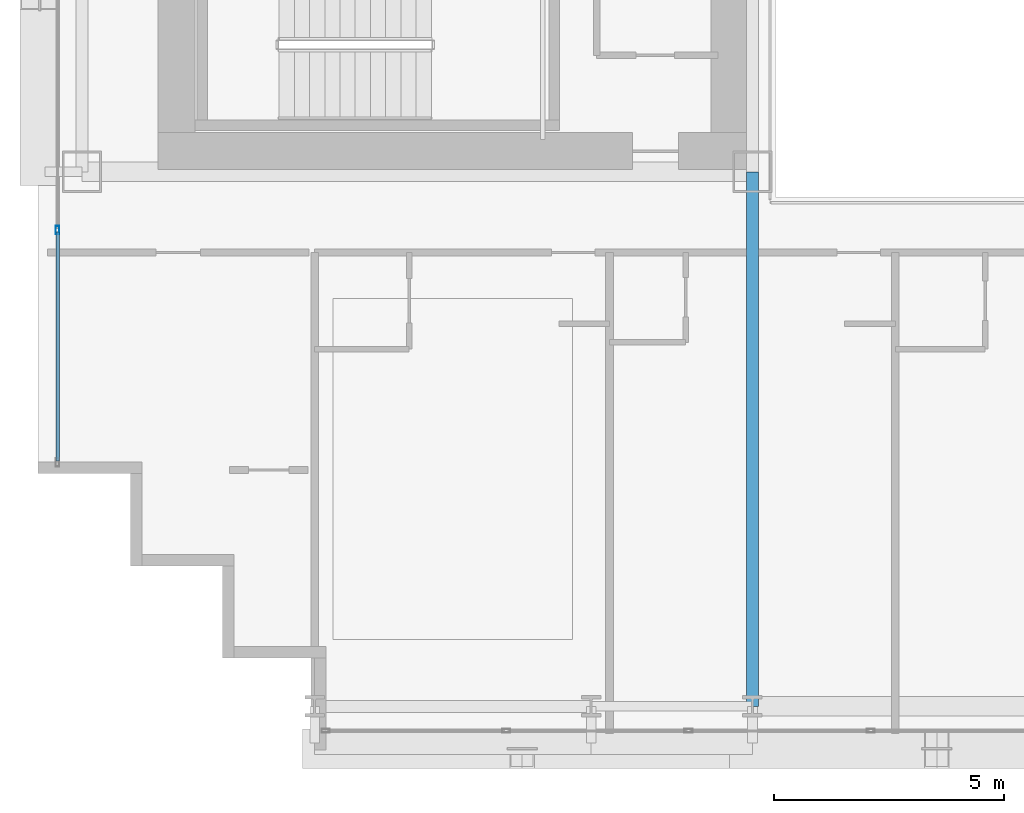
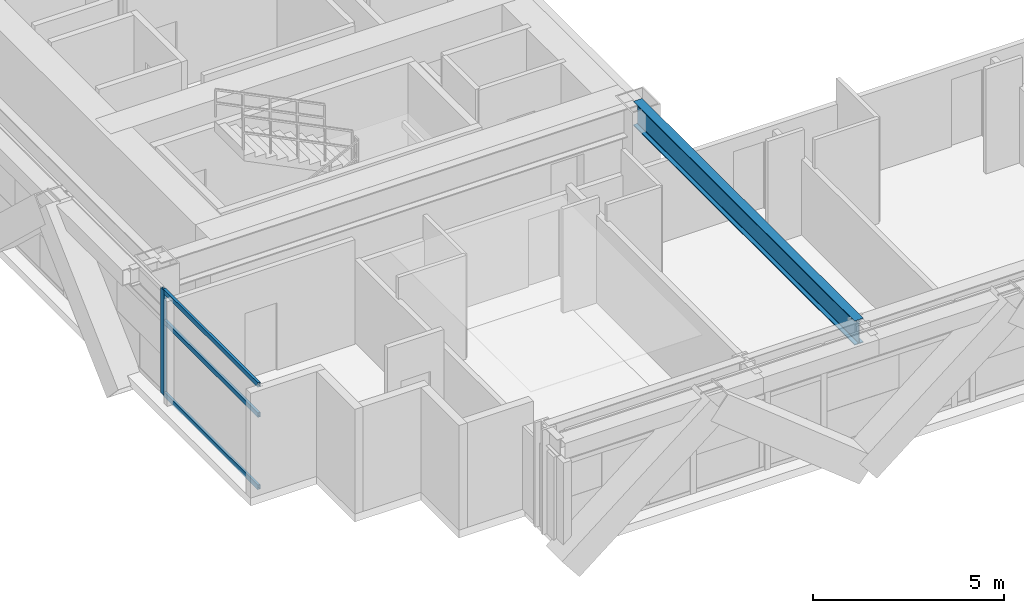
# One storey, part 3 of 35: 4 members, 1 beam, 1 element without a shape of its own.
"""IFC4 building model written with IfcOpenShell, lengths in metres."""

import ifcopenshell
import ifcopenshell.guid

model = None  # the IFC model being written
_history = None  # IfcOwnerHistory: only IFC2X3 demands one
_inside = {}  # id of a spatial element -> (the spatial element, [elements in it])
_under = {}  # id of a project, library or spatial element -> (it, [spatial elements below it])
_declared = {}  # id of a project -> (the project, [libraries it declares])
_typed = {}  # id of a type object -> (the type object, [elements of that type])
_made_of = {}  # id of a material, layer set ... -> (it, [elements and type objects made of it])


def new_model(schema):
    """Start an empty IFC model of exactly this schema.

    Asked for "IFC4X3", IfcOpenShell would pick the latest addendum, in which some entities
    have other attributes; the version numbers below select the first issue.
    IFC2X3 requires an IfcOwnerHistory on every rooted entity: one is made here for all.
    """
    global model, _history
    if schema == "IFC4X3":
        model = ifcopenshell.file(schema_version=(4, 3, 0, 0))
    else:
        model = ifcopenshell.file(schema=schema)
    _inside.clear()
    _under.clear()
    _declared.clear()
    _typed.clear()
    _made_of.clear()
    _history = None
    if model.schema == "IFC2X3":
        org = make("IfcOrganization", Name="unknown")
        user = make(
            "IfcPersonAndOrganization",
            ThePerson=make("IfcPerson", FamilyName="unknown"),
            TheOrganization=org,
        )
        app = make(
            "IfcApplication",
            ApplicationDeveloper=org,
            Version="unknown",
            ApplicationFullName="unknown",
            ApplicationIdentifier="unknown",
        )
        _history = make(
            "IfcOwnerHistory",
            OwningUser=user,
            OwningApplication=app,
            ChangeAction="ADDED",
            CreationDate=0,
        )
    return model


def make(cls, **values):
    """One entity of the class cls with the attributes given. An attribute that is None is left unset."""
    return model.create_entity(
        cls, **{name: value for name, value in values.items() if value is not None}
    )


def rooted(cls, **values):
    """An entity with a GlobalId (a new one), such as an element, a storey or a relation."""
    return make(cls, GlobalId=ifcopenshell.guid.new(), OwnerHistory=_history, **values)


def si_unit(unit_type, name, prefix=None):
    """IfcSIUnit, for example si_unit("LENGTHUNIT", "METRE", prefix="MILLI")."""
    return make("IfcSIUnit", UnitType=unit_type, Prefix=prefix, Name=name)


def assignment(units):
    """IfcUnitAssignment: the units of a project."""
    return None if units is None else make("IfcUnitAssignment", Units=units)


def point(xyz):
    """IfcCartesianPoint."""
    return None if xyz is None else make("IfcCartesianPoint", Coordinates=xyz)


def direction(xyz):
    """IfcDirection."""
    return None if xyz is None else make("IfcDirection", DirectionRatios=xyz)


def frame(location, z_axis=None, x_axis=None):
    """IfcAxis2Placement3D, a coordinate frame: its origin and axes. An axis left out is left unset."""
    return make(
        "IfcAxis2Placement3D",
        Location=point(location),
        Axis=direction(z_axis),
        RefDirection=direction(x_axis),
    )


def frame_2d(location, x_axis=None):
    """IfcAxis2Placement2D, a coordinate frame in the plane: its origin and x axis."""
    return make(
        "IfcAxis2Placement2D", Location=point(location), RefDirection=direction(x_axis)
    )


def origin():
    """The frame at (0, 0, 0) with its axes left unset."""
    return frame((0.0, 0.0, 0.0))


def origin_2d():
    """The frame at (0, 0) in the plane with its x axis left unset."""
    return frame_2d((0.0, 0.0))


def place(relative_to, where):
    """IfcLocalPlacement: puts the frame where relative to a parent placement (None: the world)."""
    return make(
        "IfcLocalPlacement", PlacementRelTo=relative_to, RelativePlacement=where
    )


def context(
    kind, dimensions, precision=None, world=None, true_north=None, identifier=None
):
    """IfcGeometricRepresentationContext, for example the 3D "Model" context."""
    return make(
        "IfcGeometricRepresentationContext",
        ContextIdentifier=identifier,
        ContextType=kind,
        CoordinateSpaceDimension=dimensions,
        Precision=precision,
        WorldCoordinateSystem=world,
        TrueNorth=true_north,
    )


def subcontext(parent, identifier, kind, view, scale=None):
    """IfcGeometricRepresentationSubContext, for example "Body" below "Model"."""
    return make(
        "IfcGeometricRepresentationSubContext",
        ContextIdentifier=identifier,
        ContextType=kind,
        ParentContext=parent,
        TargetScale=scale,
        TargetView=view,
    )


def project(units=None, contexts=None):
    """IfcProject with its units and contexts."""
    return rooted(
        "IfcProject",
        Name="project",
        RepresentationContexts=contexts,
        UnitsInContext=assignment(units),
    )


def spatial(cls, under=None, at=None, **own):
    """A site, building, storey or space (cls), placed at a placement, below another one or the project."""
    s = rooted(cls, ObjectPlacement=at, **own)
    if under is not None:
        _under.setdefault(under.id(), (under, []))[1].append(s)
    return s


def profile(cls, at=None, kind="AREA", **sizes):
    """A parametric profile (cls). Its sizes go by their IFC names, for example OverallWidth=200.0."""
    return make(cls, ProfileType=kind, Position=at, **sizes)


def hollow_rectangle(**sizes):
    """IfcRectangleHollowProfileDef."""
    return profile("IfcRectangleHollowProfileDef", **sizes)


def i_section(**sizes):
    """IfcIShapeProfileDef."""
    return profile("IfcIShapeProfileDef", **sizes)


def extrude(swept, where, along, depth):
    """IfcExtrudedAreaSolid: the profile swept, set in the frame where, extruded along a direction by depth."""
    return make(
        "IfcExtrudedAreaSolid",
        SweptArea=swept,
        Position=where,
        ExtrudedDirection=direction(along),
        Depth=depth,
    )


def shape(context_of_items, identifier, shape_type, items):
    """IfcShapeRepresentation: the items that make up one representation, for example the "Body"."""
    return make(
        "IfcShapeRepresentation",
        ContextOfItems=context_of_items,
        RepresentationIdentifier=identifier,
        RepresentationType=shape_type,
        Items=items,
    )


def source(mapping_origin, context_of_items, identifier, shape_type, items):
    """IfcRepresentationMap: a shape defined once, which mapped items show again and again."""
    return make(
        "IfcRepresentationMap",
        MappingOrigin=mapping_origin,
        MappedRepresentation=shape(context_of_items, identifier, shape_type, items),
    )


def transform(
    local_origin,
    x_axis=None,
    y_axis=None,
    z_axis=None,
    scale=None,
    scale2=None,
    scale3=None,
    uniform=True,
):
    """IfcCartesianTransformationOperator3D, or its non-uniform kind. x_axis, y_axis, z_axis: its Axis1, 2, 3."""
    if uniform:
        return make(
            "IfcCartesianTransformationOperator3D",
            Axis1=direction(x_axis),
            Axis2=direction(y_axis),
            LocalOrigin=point(local_origin),
            Scale=scale,
            Axis3=direction(z_axis),
        )
    return make(
        "IfcCartesianTransformationOperator3DnonUniform",
        Axis1=direction(x_axis),
        Axis2=direction(y_axis),
        LocalOrigin=point(local_origin),
        Scale=scale,
        Axis3=direction(z_axis),
        Scale2=scale2,
        Scale3=scale3,
    )


def mapped(mapping_source, mapping_target):
    """IfcMappedItem: shows the shape of a source again, moved by a transform."""
    return make(
        "IfcMappedItem", MappingSource=mapping_source, MappingTarget=mapping_target
    )


def material(Name=None, Category=None):
    """IfcMaterial."""
    return make("IfcMaterial", Name=Name, Category=Category)


def layer(
    of_material, thickness, ventilated=None, Name=None, Category=None, Priority=None
):
    """IfcMaterialLayer: one layer of a wall or slab, of a material (None: an air gap)."""
    return make(
        "IfcMaterialLayer",
        Material=of_material,
        LayerThickness=thickness,
        IsVentilated=ventilated,
        Name=Name,
        Category=Category,
        Priority=Priority,
    )


def layer_set(layers, Name=None):
    """IfcMaterialLayerSet."""
    return make("IfcMaterialLayerSet", MaterialLayers=layers, LayerSetName=Name)


def material_profile(
    of_material, cross_section, Name=None, Category=None, Priority=None
):
    """IfcMaterialProfile: a cross section and its material."""
    return make(
        "IfcMaterialProfile",
        Name=Name,
        Material=of_material,
        Profile=cross_section,
        Priority=Priority,
        Category=Category,
    )


def profile_set(profiles, Name=None, composite=None):
    """IfcMaterialProfileSet."""
    return make(
        "IfcMaterialProfileSet",
        Name=Name,
        MaterialProfiles=profiles,
        CompositeProfile=composite,
    )


def made_of(thing, what):
    """Note that an element or type object is made of a material, layer set ...; save() writes the relation."""
    if what is not None:
        _made_of.setdefault(what.id(), (what, []))[1].append(thing)
    return thing


def type_object(cls, material=None, **own):
    """A type object (cls), such as IfcWallType, which elements share."""
    return made_of(rooted(cls, **own), material)


def element(
    cls,
    number,
    at=None,
    inside=None,
    cuts=None,
    type_object=None,
    material=None,
    context=None,
    identifier="Body",
    shape_type=None,
    held_by="IfcProductDefinitionShape",
    body=None,
    shapes=None,
    **own,
):
    """One element of the class cls, such as IfcWall. Its Tag is "e" and its number.

    at: its placement. inside: the storey or other place that contains it. cuts: it is an
    opening in that element (IfcRelVoidsElement). A single representation is given by context,
    identifier, shape_type and body (its items); several are given by shapes. held_by: the class
    of the entity that holds the representations. save() writes the other relations.
    """
    e = rooted(cls, Tag="e%d" % number, ObjectPlacement=at, **own)
    if body is not None:
        shapes = [shape(context, identifier, shape_type, body)]
    if shapes is not None:
        e.Representation = make(held_by, Representations=shapes)
    if inside is not None:
        _inside.setdefault(inside.id(), (inside, []))[1].append(e)
    if cuts is not None:
        rooted(
            "IfcRelVoidsElement", RelatingBuildingElement=cuts, RelatedOpeningElement=e
        )
    if type_object is not None:
        _typed.setdefault(type_object.id(), (type_object, []))[1].append(e)
    return made_of(e, material)


def aggregate(whole, parts):
    """IfcRelAggregates: a whole, such as a stair, and the parts it consists of."""
    return rooted("IfcRelAggregates", RelatingObject=whole, RelatedObjects=parts)


def save(model, path):
    """Write the relations noted so far, then the file.

    IfcRelAggregates (storeys below a building ...), IfcRelContainedInSpatialStructure (elements
    in a storey), IfcRelDefinesByType, IfcRelAssociatesMaterial and IfcRelDeclares: one each for
    every whole, place, type object, material and project.
    """
    for whole, parts in _under.values():
        aggregate(whole, parts)
    for where, things in _inside.values():
        rooted(
            "IfcRelContainedInSpatialStructure",
            RelatedElements=things,
            RelatingStructure=where,
        )
    for kind, things in _typed.values():
        rooted("IfcRelDefinesByType", RelatedObjects=things, RelatingType=kind)
    for what, things in _made_of.values():
        rooted("IfcRelAssociatesMaterial", RelatedObjects=things, RelatingMaterial=what)
    for by, libraries in _declared.values():
        rooted("IfcRelDeclares", RelatingContext=by, RelatedDefinitions=libraries)
    model.write(path)


model = new_model("IFC4")

# Units and contexts
model_context = context("Model", 3, precision=1e-05, world=origin(), true_north=direction((0.0, 1.0)))
body_context = subcontext(model_context, "Body", "Model", "MODEL_VIEW")
ifc_project = project(units=[si_unit("LENGTHUNIT", "METRE"), si_unit("AREAUNIT", "SQUARE_METRE"), si_unit("VOLUMEUNIT", "CUBIC_METRE"), si_unit("PLANEANGLEUNIT", "RADIAN"), si_unit("MASSUNIT", "GRAM", prefix="KILO")], contexts=[model_context])

# Site, building, storey
site_placement = place(None, origin())
site = spatial("IfcSite", under=ifc_project, at=site_placement, CompositionType="ELEMENT")
building_placement = place(site_placement, origin())
building = spatial("IfcBuilding", under=site, at=building_placement, Name="Ocotamira Hotel", CompositionType="ELEMENT")
storey_placement = place(building_placement, frame((0.0, 0.0, 49.199951171875)))
storey = spatial("IfcBuildingStorey", under=building, at=storey_placement, Name="L11", CompositionType="ELEMENT", Elevation=49.199951171875)

# Beam
ifc_material_1 = material(Name="Steel ASTM A992 Grade 50", Category="steel")
ifc_material_profile_1 = material_profile(ifc_material_1, i_section(OverallWidth=0.26611328125, OverallDepth=0.779052734375, WebThickness=0.0166015625, FlangeThickness=0.030029296875, FilletRadius=0.01806640625, at=origin_2d()), Name="W30X148")
ifc_profile_set_1 = profile_set([ifc_material_profile_1], Name="Steel ASTM A992 Grade 50")
beam_type = type_object("IfcBeamType", Name="BM-GIRD-W30X148", PredefinedType="BEAM", material=ifc_profile_set_1)
shared_shape_1 = source(origin(), body_context, "Body", "SweptSolid", [
    extrude(i_section(OverallWidth=0.26611328125, OverallDepth=0.779052734375, WebThickness=0.0166015625, FlangeThickness=0.030029296875, FilletRadius=0.01806640625, at=origin_2d()), origin(), (0.0, 0.0, 1.0), 11.60009765625),
])
beam_placement = place(storey_placement, frame((23.5, 2.949951171875, 2.96044921875), z_axis=(0.0, 1.0, 0.0), x_axis=(-1.0, 0.0, 0.0)))
element("IfcBeam", 1, at=beam_placement, inside=storey, type_object=beam_type, Name="L11 Beam X23.5 Y2.95-14.55", PredefinedType="BEAM", context=body_context, shape_type="MappedRepresentation", body=[
    mapped(shared_shape_1, transform((0.0, 0.0, 0.0), scale=1.0)),
])

# Curtain wall, members
ifc_material_2 = material(Name="Anodised pale-metal aluminium and solar glass", Category="aluminium")
ifc_layer = layer(ifc_material_2, 0.179931640625)
ifc_layer_set = layer_set([ifc_layer], Name="Anodised pale-metal aluminium and solar glass")
curtain_wall_type = type_object("IfcCurtainWallType", Name="CW-SYS2-Z1", PredefinedType="NOTDEFINED", material=ifc_layer_set)
curtain_wall_placement = place(storey_placement, origin())
curtain_wall = element("IfcCurtainWall", 2, at=curtain_wall_placement, inside=storey, type_object=curtain_wall_type, Name="L11 Curtain Wall CW-2 CW-L11-W", PredefinedType="NOTDEFINED")
ifc_material_3 = material(Name="Anodised pale-metal aluminium 6063-T6", Category="aluminium")
ifc_material_profile_2 = material_profile(ifc_material_3, hollow_rectangle(XDim=0.074951171875, YDim=0.14990234375, WallThickness=0.006103515625, at=origin_2d()), Name="HSS150X75X6")
ifc_profile_set_2 = profile_set([ifc_material_profile_2], Name="Anodised pale-metal aluminium 6063-T6")
member_type_1 = type_object("IfcMemberType", Name="CWT-150X75", PredefinedType="USERDEFINED", material=ifc_profile_set_2)
shared_shape_2 = source(origin(), body_context, "Body", "SweptSolid", [
    extrude(hollow_rectangle(XDim=0.074951171875, YDim=0.14990234375, WallThickness=0.006103515625, at=origin_2d()), origin(), (0.0, 0.0, 1.0), 4.965576171875),
])
member_1_placement = place(storey_placement, frame((8.419921875, 8.280029296875, 0.03759765625), z_axis=(0.0, 1.0, 0.0), x_axis=(-1.0, 0.0, 0.0)))
member_1 = element("IfcMember", 3, at=member_1_placement, type_object=member_type_1, Name="CW-2 transom 1.1", ObjectType="TRANSOM", PredefinedType="USERDEFINED", context=body_context, shape_type="MappedRepresentation", body=[
    mapped(shared_shape_2, transform((0.0, 0.0, 0.0), scale=1.0)),
])
member_2_placement = place(storey_placement, frame((8.419921875, 8.280029296875, 2.35009765625), z_axis=(0.0, 1.0, 0.0), x_axis=(-1.0, 0.0, 0.0)))
member_2 = element("IfcMember", 4, at=member_2_placement, type_object=member_type_1, Name="CW-2 transom 1.2", ObjectType="TRANSOM", PredefinedType="USERDEFINED", context=body_context, shape_type="MappedRepresentation", body=[
    mapped(shared_shape_2, transform((0.0, 0.0, 0.0), scale=1.0)),
])
member_3_placement = place(storey_placement, frame((8.419921875, 8.280029296875, 3.3125), z_axis=(0.0, 1.0, 0.0), x_axis=(-1.0, 0.0, 0.0)))
member_3 = element("IfcMember", 5, at=member_3_placement, type_object=member_type_1, Name="CW-2 transom 1.3", ObjectType="TRANSOM", PredefinedType="USERDEFINED", context=body_context, shape_type="MappedRepresentation", body=[
    mapped(shared_shape_2, transform((0.0, 0.0, 0.0), scale=1.0)),
])
ifc_material_profile_3 = material_profile(ifc_material_3, hollow_rectangle(XDim=0.080078125, YDim=0.179931640625, WallThickness=0.006103515625, at=origin_2d()), Name="HSS180X80X6")
ifc_profile_set_3 = profile_set([ifc_material_profile_3], Name="Anodised pale-metal aluminium 6063-T6")
member_type_2 = type_object("IfcMemberType", Name="CWM-180X75", PredefinedType="MULLION", material=ifc_profile_set_3)
shared_shape_3 = source(origin(), body_context, "Body", "SweptSolid", [
    extrude(hollow_rectangle(XDim=0.080078125, YDim=0.179931640625, WallThickness=0.006103515625, at=origin_2d()), origin(), (0.0, 0.0, 1.0), 3.35009765625),
])
member_4_placement = place(storey_placement, frame((8.419921875, 13.28564453125, 0.0), z_axis=(0.0, 0.0, 1.0), x_axis=(-1.0, 0.0, 0.0)))
member_4 = element("IfcMember", 6, at=member_4_placement, type_object=member_type_2, Name="CW-2 mullion 2", PredefinedType="MULLION", context=body_context, shape_type="MappedRepresentation", body=[
    mapped(shared_shape_3, transform((0.0, 0.0, 0.0), scale=1.0)),
])
aggregate(curtain_wall, [member_4, member_1, member_2, member_3])

save(model, "model.ifc")
